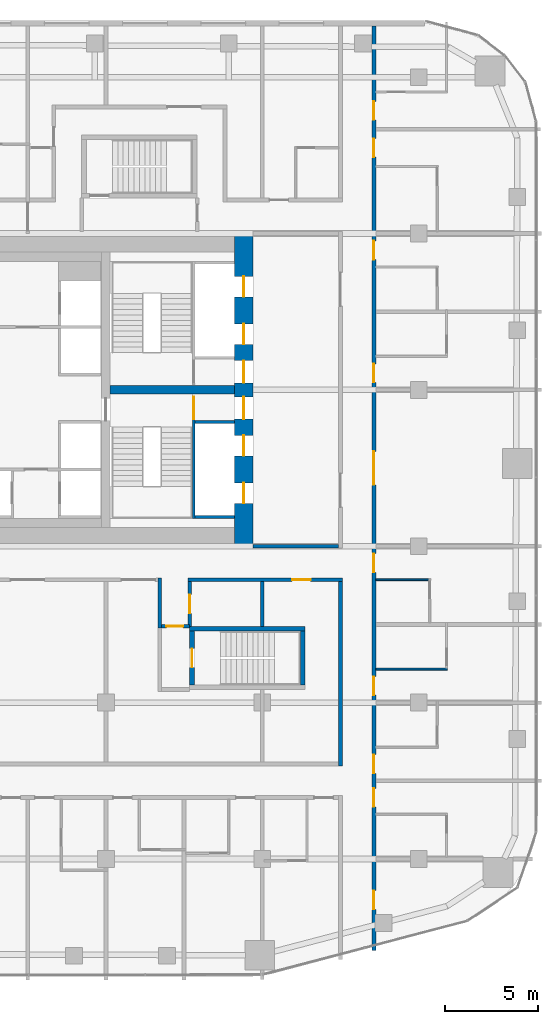
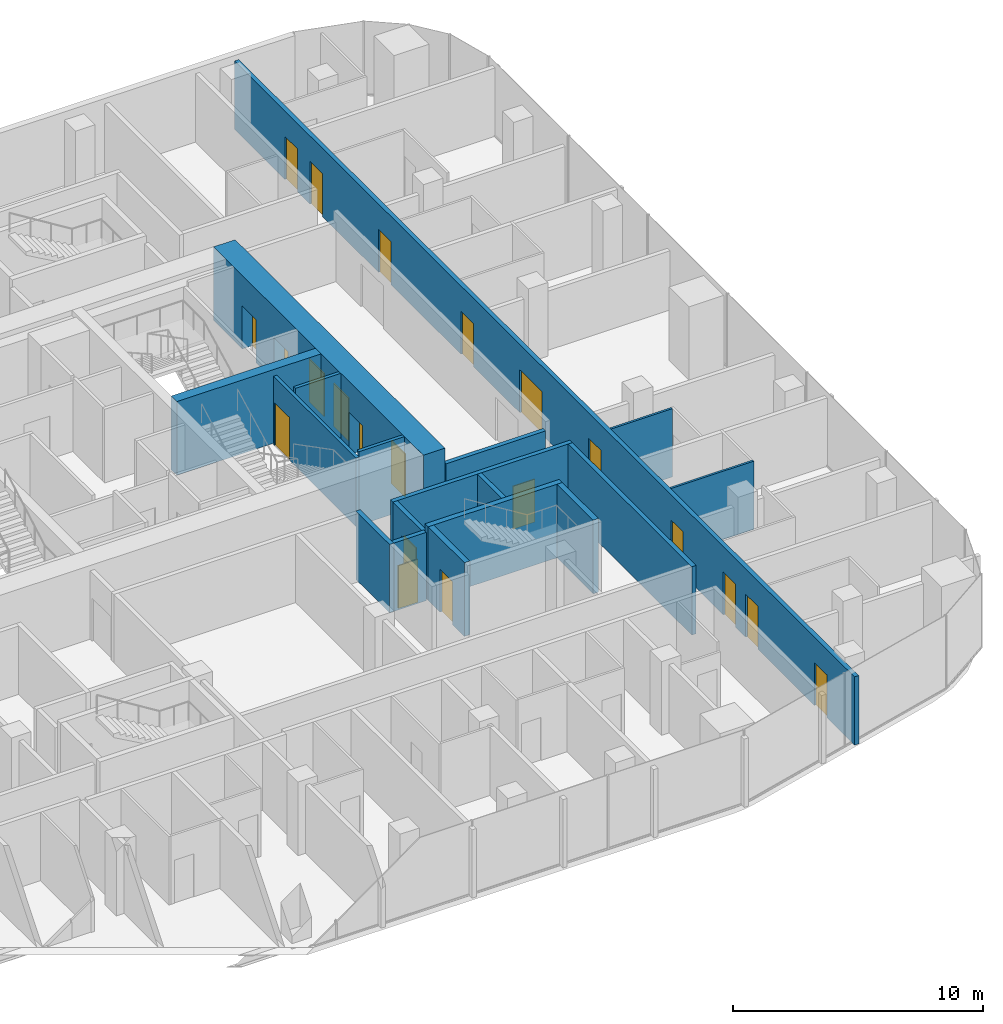
# One storey, part 17 of 23: 21 doors, 18 walls, 21 openings.
"""IFC4 building model written with IfcOpenShell, lengths in metres."""

from ifc_helpers import new_model, si_unit, direction, frame, frame_2d, origin, place, context, subcontext, project, spatial, rectangle, extrude, material, layer, layer_set, type_object, element, fill, save


model = new_model("IFC4")

# Units and contexts
model_context = context("Model", 3, precision=1e-05, world=origin(), true_north=direction((0.0, 1.0)))
body_context = subcontext(model_context, "Body", "Model", "MODEL_VIEW")
ifc_project = project(units=[si_unit("LENGTHUNIT", "METRE"), si_unit("AREAUNIT", "SQUARE_METRE"), si_unit("VOLUMEUNIT", "CUBIC_METRE"), si_unit("PLANEANGLEUNIT", "RADIAN"), si_unit("MASSUNIT", "GRAM", prefix="KILO")], contexts=[model_context])

# Site, building, storey
site_placement = place(None, origin())
site = spatial("IfcSite", under=ifc_project, at=site_placement, CompositionType="ELEMENT")
building_placement = place(site_placement, origin())
building = spatial("IfcBuilding", under=site, at=building_placement, Name="Marenta Gate Hotel Tower", CompositionType="ELEMENT")
storey_placement = place(building_placement, frame((0.0, 0.0, 104.89990234375)))
storey = spatial("IfcBuildingStorey", under=building, at=storey_placement, Name="L22", CompositionType="ELEMENT", Elevation=104.89990234375)

# Walls
ifc_material_1 = material(Name="Concrete blockwork", Category="masonry")
ifc_layer_1 = layer(ifc_material_1, 0.199951171875)
ifc_layer_set_1 = layer_set([ifc_layer_1], Name="Concrete blockwork")
wall_type_1 = type_object("IfcWallType", Name="Core boundary wall 200 REI 180", PredefinedType="PARTITIONING", material=ifc_layer_set_1)
wall_1_placement = place(storey_placement, frame((12.10009765625, 0.0, 0.0), z_axis=(0.0, 0.0, 1.0), x_axis=(1.0, 0.0, 0.0)))
element("IfcWall", 1, at=wall_1_placement, inside=storey, type_object=wall_type_1, Name="L22-CP-EW-ES", PredefinedType="PARTITIONING", context=body_context, shape_type="SweptSolid", body=[
    extrude(rectangle(XDim=4.599853515625, YDim=0.199951171875, at=frame_2d((2.2998046875, 0.0))), origin(), (0.0, 0.0, 1.0), 2.89013671875),
])
ifc_material_2 = material(Name="Concrete C40", Category="concrete")
ifc_layer_2 = layer(ifc_material_2, 0.14990234375)
ifc_layer_set_2 = layer_set([ifc_layer_2], Name="Concrete C40")
wall_type_2 = type_object("IfcWallType", Name="Core shaft wall 150 REI 180", PredefinedType="SHEAR", material=ifc_layer_set_2)
for number, where, z_axis, x_axis, name in (
    (2, (9.0, 6.675048828125, 0.0), (0.0, 0.0, 1.0), (1.0, 0.0, 0.0), "L22-SHF-SW-ES-2"),
    (3, (9.0, 1.574951171875, 0.0), (0.0, 0.0, 1.0), (1.0, 0.0, 0.0), "L22-SHF-SW-ES-5"),
):
    element("IfcWall", number, at=place(storey_placement, frame(where, z_axis=z_axis, x_axis=x_axis)), inside=storey, type_object=wall_type_2, Name=name, PredefinedType="SHEAR", context=body_context, shape_type="SweptSolid", body=[
        extrude(rectangle(XDim=2.10009765625, YDim=0.14990234375, at=frame_2d((1.050048828125, 0.0))), origin(), (0.0, 0.0, 1.0), 3.60009765625),
    ])

# Wall, opening, door
ifc_material_3 = material(Name="Concrete C40", Category="concrete")
ifc_layer_3 = layer(ifc_material_3, 0.14990234375)
ifc_layer_set_3 = layer_set([ifc_layer_3], Name="Concrete C40")
wall_type_3 = type_object("IfcWallType", Name="Core stair enclosure wall 150 REI 180", PredefinedType="SHEAR", material=ifc_layer_set_3)
wall_2_placement = place(storey_placement, frame((8.925048828125, 1.5, 0.0), z_axis=(0.0, 0.0, 1.0), x_axis=(0.0, 1.0, 0.0)))
wall_2 = element("IfcWall", 4, at=wall_2_placement, inside=storey, type_object=wall_type_3, Name="L22-SHF-SW-ES-3", PredefinedType="SHEAR", context=body_context, shape_type="SweptSolid", body=[
    extrude(rectangle(XDim=6.60009765625, YDim=0.14990234375, at=frame_2d((3.300048828125, 0.0))), origin(), (0.0, 0.0, 1.0), 3.340087890625),
])
opening_1_placement = place(wall_2_placement, frame((5.324951171875, 0.0, 0.0)))
opening_1 = element("IfcOpeningElement", 5, at=opening_1_placement, cuts=wall_2, Name="Opening SD-ES", PredefinedType="OPENING", context=body_context, shape_type="SweptSolid", body=[
    extrude(rectangle(XDim=1.199951171875, YDim=2.10009765625, at=frame_2d((0.60009765625, 1.050048828125))), frame((0.0, 0.074951171875, 0.0), z_axis=(0.0, -1.0, 0.0), x_axis=(1.0, 0.0, 0.0)), (0.0, 0.0, 1.0), 0.14990234375),
])
ifc_material_4 = material(Name="Steel", Category="steel")
door_type_1 = type_object("IfcDoorType", Name="Core stair door 1200x2100 FD60", OperationType="SINGLE_SWING_LEFT", PredefinedType="DOOR", material=ifc_material_4)
door_1_placement = place(opening_1_placement, origin())
door_1 = element("IfcDoor", 6, at=door_1_placement, inside=storey, type_object=door_type_1, Name="SD-ES", OperationType="SINGLE_SWING_LEFT", OverallHeight=2.10009765625, OverallWidth=1.199951171875, PredefinedType="DOOR", context=body_context, shape_type="SweptSolid", body=[
    extrude(rectangle(XDim=1.199951171875, YDim=2.10009765625, at=frame_2d((0.60009765625, 1.050048828125))), frame((0.0, 0.02490234375, 0.0), z_axis=(0.0, -1.0, 0.0), x_axis=(1.0, 0.0, 0.0)), (0.0, 0.0, 1.0), 0.050048828125),
])
fill(opening_1, door_1)

# Wall, openings, doors
ifc_material_5 = material(Name="Concrete C70", Category="concrete")
ifc_layer_4 = layer(ifc_material_5, 1.0)
ifc_layer_set_4 = layer_set([ifc_layer_4], Name="Concrete C70")
wall_type_4 = type_object("IfcWallType", Name="Core wall 1000 C70", PredefinedType="SHEAR", material=ifc_layer_set_4)
wall_3_placement = place(storey_placement, frame((11.60009765625, 0.0, 0.0), z_axis=(0.0, 0.0, 1.0), x_axis=(0.0, 1.0, 0.0)))
wall_3 = element("IfcWall", 7, at=wall_3_placement, inside=storey, type_object=wall_type_4, Name="L22-CORE-E", PredefinedType="SHEAR", context=body_context, shape_type="SweptSolid", body=[
    extrude(rectangle(XDim=16.800048828125, YDim=1.0, at=frame_2d((8.39990234375, 0.0))), origin(), (0.0, 0.0, 1.0), 3.60009765625),
])
opening_2_placement = place(wall_3_placement, frame((2.300048828125, 0.0, 0.0)))
opening_2 = element("IfcOpeningElement", 8, at=opening_2_placement, cuts=wall_3, Name="Opening LD-HR1", PredefinedType="OPENING", context=body_context, shape_type="SweptSolid", body=[
    extrude(rectangle(XDim=1.10009765625, YDim=2.10009765625, at=frame_2d((0.550048828125, 1.050048828125))), frame((0.0, 0.5, 0.0), z_axis=(0.0, -1.0, 0.0), x_axis=(1.0, 0.0, 0.0)), (0.0, 0.0, 1.0), 1.0),
])
opening_3_placement = place(wall_3_placement, frame((4.85009765625, 0.0, 0.0)))
opening_3 = element("IfcOpeningElement", 9, at=opening_3_placement, cuts=wall_3, Name="Opening LD-HR2", PredefinedType="OPENING", context=body_context, shape_type="SweptSolid", body=[
    extrude(rectangle(XDim=1.10009765625, YDim=2.10009765625, at=frame_2d((0.550048828125, 1.050048828125))), frame((0.0, 0.5, 0.0), z_axis=(0.0, -1.0, 0.0), x_axis=(1.0, 0.0, 0.0)), (0.0, 0.0, 1.0), 1.0),
])
opening_4_placement = place(wall_3_placement, frame((6.824951171875, 0.0, 0.0)))
opening_4 = element("IfcOpeningElement", 10, at=opening_4_placement, cuts=wall_3, Name="Opening PD-ES", PredefinedType="OPENING", context=body_context, shape_type="SweptSolid", body=[
    extrude(rectangle(XDim=1.199951171875, YDim=2.10009765625, at=frame_2d((0.60009765625, 1.050048828125))), frame((0.0, 0.5, 0.0), z_axis=(0.0, -1.0, 0.0), x_axis=(1.0, 0.0, 0.0)), (0.0, 0.0, 1.0), 1.0),
])
opening_5_placement = place(wall_3_placement, frame((13.39990234375, 0.0, 0.0)))
opening_5 = element("IfcOpeningElement", 11, at=opening_5_placement, cuts=wall_3, Name="Opening LD-HR4", PredefinedType="OPENING", context=body_context, shape_type="SweptSolid", body=[
    extrude(rectangle(XDim=1.10009765625, YDim=2.10009765625, at=frame_2d((0.550048828125, 1.050048828125))), frame((0.0, 0.5, 0.0), z_axis=(0.0, -1.0, 0.0), x_axis=(1.0, 0.0, 0.0)), (0.0, 0.0, 1.0), 1.0),
])
opening_6_placement = place(wall_3_placement, frame((10.85009765625, 0.0, 0.0)))
opening_6 = element("IfcOpeningElement", 12, at=opening_6_placement, cuts=wall_3, Name="Opening LD-HR3", PredefinedType="OPENING", context=body_context, shape_type="SweptSolid", body=[
    extrude(rectangle(XDim=1.10009765625, YDim=2.10009765625, at=frame_2d((0.550048828125, 1.050048828125))), frame((0.0, 0.5, 0.0), z_axis=(0.0, -1.0, 0.0), x_axis=(1.0, 0.0, 0.0)), (0.0, 0.0, 1.0), 1.0),
])
opening_7_placement = place(wall_3_placement, frame((8.77490234375, 0.0, 0.0)))
opening_7 = element("IfcOpeningElement", 13, at=opening_7_placement, cuts=wall_3, Name="Opening PD-EN", PredefinedType="OPENING", context=body_context, shape_type="SweptSolid", body=[
    extrude(rectangle(XDim=1.199951171875, YDim=2.10009765625, at=frame_2d((0.60009765625, 1.050048828125))), frame((0.0, 0.5, 0.0), z_axis=(0.0, -1.0, 0.0), x_axis=(1.0, 0.0, 0.0)), (0.0, 0.0, 1.0), 1.0),
])
ifc_material_6 = material(Name="Steel", Category="steel")
door_type_2 = type_object("IfcDoorType", Name="Core lift landing door 1100x2100 E 60", OperationType="SLIDING_TO_LEFT", PredefinedType="DOOR", material=ifc_material_6)
door_2_placement = place(opening_2_placement, origin())
door_2 = element("IfcDoor", 14, at=door_2_placement, inside=storey, type_object=door_type_2, Name="LD-HR1", OperationType="SLIDING_TO_LEFT", OverallHeight=2.10009765625, OverallWidth=1.10009765625, PredefinedType="DOOR", context=body_context, shape_type="SweptSolid", body=[
    extrude(rectangle(XDim=1.10009765625, YDim=2.10009765625, at=frame_2d((0.550048828125, 1.050048828125))), frame((0.0, 0.02490234375, 0.0), z_axis=(0.0, -1.0, 0.0), x_axis=(1.0, 0.0, 0.0)), (0.0, 0.0, 1.0), 0.050048828125),
])
fill(opening_2, door_2)
door_3_placement = place(opening_3_placement, origin())
door_3 = element("IfcDoor", 15, at=door_3_placement, inside=storey, type_object=door_type_2, Name="LD-HR2", OperationType="SLIDING_TO_LEFT", OverallHeight=2.10009765625, OverallWidth=1.10009765625, PredefinedType="DOOR", context=body_context, shape_type="SweptSolid", body=[
    extrude(rectangle(XDim=1.10009765625, YDim=2.10009765625, at=frame_2d((0.550048828125, 1.050048828125))), frame((0.0, 0.02490234375, 0.0), z_axis=(0.0, -1.0, 0.0), x_axis=(1.0, 0.0, 0.0)), (0.0, 0.0, 1.0), 0.050048828125),
])
fill(opening_3, door_3)
door_4_placement = place(opening_5_placement, origin())
door_4 = element("IfcDoor", 16, at=door_4_placement, inside=storey, type_object=door_type_2, Name="LD-HR4", OperationType="SLIDING_TO_LEFT", OverallHeight=2.10009765625, OverallWidth=1.10009765625, PredefinedType="DOOR", context=body_context, shape_type="SweptSolid", body=[
    extrude(rectangle(XDim=1.10009765625, YDim=2.10009765625, at=frame_2d((0.550048828125, 1.050048828125))), frame((0.0, 0.02490234375, 0.0), z_axis=(0.0, -1.0, 0.0), x_axis=(1.0, 0.0, 0.0)), (0.0, 0.0, 1.0), 0.050048828125),
])
fill(opening_5, door_4)
door_5_placement = place(opening_6_placement, origin())
door_5 = element("IfcDoor", 17, at=door_5_placement, inside=storey, type_object=door_type_2, Name="LD-HR3", OperationType="SLIDING_TO_LEFT", OverallHeight=2.10009765625, OverallWidth=1.10009765625, PredefinedType="DOOR", context=body_context, shape_type="SweptSolid", body=[
    extrude(rectangle(XDim=1.10009765625, YDim=2.10009765625, at=frame_2d((0.550048828125, 1.050048828125))), frame((0.0, 0.02490234375, 0.0), z_axis=(0.0, -1.0, 0.0), x_axis=(1.0, 0.0, 0.0)), (0.0, 0.0, 1.0), 0.050048828125),
])
fill(opening_6, door_5)
ifc_material_7 = material(Name="Steel", Category="steel")
door_type_3 = type_object("IfcDoorType", Name="Core lobby door 1200x2100 FD60", OperationType="SINGLE_SWING_LEFT", PredefinedType="DOOR", material=ifc_material_7)
door_6_placement = place(opening_4_placement, origin())
door_6 = element("IfcDoor", 18, at=door_6_placement, inside=storey, type_object=door_type_3, Name="PD-ES", OperationType="SINGLE_SWING_LEFT", OverallHeight=2.10009765625, OverallWidth=1.199951171875, PredefinedType="DOOR", context=body_context, shape_type="SweptSolid", body=[
    extrude(rectangle(XDim=1.199951171875, YDim=2.10009765625, at=frame_2d((0.60009765625, 1.050048828125))), frame((0.0, 0.02490234375, 0.0), z_axis=(0.0, -1.0, 0.0), x_axis=(1.0, 0.0, 0.0)), (0.0, 0.0, 1.0), 0.050048828125),
])
fill(opening_4, door_6)
door_7_placement = place(opening_7_placement, origin())
door_7 = element("IfcDoor", 19, at=door_7_placement, inside=storey, type_object=door_type_3, Name="PD-EN", OperationType="SINGLE_SWING_LEFT", OverallHeight=2.10009765625, OverallWidth=1.199951171875, PredefinedType="DOOR", context=body_context, shape_type="SweptSolid", body=[
    extrude(rectangle(XDim=1.199951171875, YDim=2.10009765625, at=frame_2d((0.60009765625, 1.050048828125))), frame((0.0, 0.02490234375, 0.0), z_axis=(0.0, -1.0, 0.0), x_axis=(1.0, 0.0, 0.0)), (0.0, 0.0, 1.0), 0.050048828125),
])
fill(opening_7, door_7)

# Walls
ifc_material_8 = material(Name="Concrete C70", Category="concrete")
ifc_layer_5 = layer(ifc_material_8, 0.449951171875)
ifc_layer_set_5 = layer_set([ifc_layer_5], Name="Concrete C70")
wall_type_5 = type_object("IfcWallType", Name="Core web 450 C70", PredefinedType="SHEAR", material=ifc_layer_set_5)
wall_4_placement = place(storey_placement, frame((4.425048828125, 8.39990234375, 0.0), z_axis=(0.0, 0.0, 1.0), x_axis=(1.0, 0.0, 0.0)))
element("IfcWall", 20, at=wall_4_placement, inside=storey, type_object=wall_type_5, Name="L22-CORE-W4", PredefinedType="SHEAR", context=body_context, shape_type="SweptSolid", body=[
    extrude(rectangle(XDim=6.675048828125, YDim=0.449951171875, at=frame_2d((3.33740234375, 0.0))), origin(), (0.0, 0.0, 1.0), 3.60009765625),
])
ifc_material_9 = material(Name="Concrete C40", Category="concrete")
ifc_layer_6 = layer(ifc_material_9, 0.25)
ifc_layer_set_6 = layer_set([ifc_layer_6], Name="Concrete C40")
wall_type_6 = type_object("IfcWallType", Name="Remote stair enclosure wall 250 REI 180", PredefinedType="SHEAR", material=ifc_layer_set_6)
wall_5_placement = place(storey_placement, frame((8.699951171875, -4.425048828125, 0.10009765625), z_axis=(0.0, 0.0, 1.0), x_axis=(1.0, 0.0, 0.0)))
element("IfcWall", 21, at=wall_5_placement, inside=storey, type_object=wall_type_6, Name="L22-RS-Z2-2-W2", PredefinedType="SHEAR", context=body_context, shape_type="SweptSolid", body=[
    extrude(rectangle(XDim=6.199951171875, YDim=0.25, at=frame_2d((3.10009765625, 0.0))), origin(), (0.0, 0.0, 1.0), 3.60009765625),
])

# Wall, opening, door
wall_6_placement = place(storey_placement, frame((8.824951171875, -7.449951171875, 0.10009765625), z_axis=(0.0, 0.0, 1.0), x_axis=(0.0, 1.0, 0.0)))
wall_6 = element("IfcWall", 22, at=wall_6_placement, inside=storey, type_object=wall_type_6, Name="L22-RS-Z2-2-W3", PredefinedType="SHEAR", context=body_context, shape_type="SweptSolid", body=[
    extrude(rectangle(XDim=2.89990234375, YDim=0.25, at=frame_2d((1.449951171875, 0.0))), origin(), (0.0, 0.0, 1.0), 3.60009765625),
])
opening_8_placement = place(wall_6_placement, frame((0.949951171875, 0.0, 0.0)))
opening_8 = element("IfcOpeningElement", 23, at=opening_8_placement, cuts=wall_6, Name="Opening VD", PredefinedType="OPENING", context=body_context, shape_type="SweptSolid", body=[
    extrude(rectangle(XDim=1.0, YDim=2.10009765625, at=frame_2d((0.5, 1.050048828125))), frame((0.0, 0.125, 0.0), z_axis=(0.0, -1.0, 0.0), x_axis=(1.0, 0.0, 0.0)), (0.0, 0.0, 1.0), 0.25),
])
ifc_material_10 = material(Name="Steel", Category="steel")
door_type_4 = type_object("IfcDoorType", Name="Stair vestibule door 1000x2100 FD60", OperationType="SINGLE_SWING_LEFT", PredefinedType="DOOR", material=ifc_material_10)
door_8_placement = place(opening_8_placement, origin())
door_8 = element("IfcDoor", 24, at=door_8_placement, inside=storey, type_object=door_type_4, Name="VD", OperationType="SINGLE_SWING_LEFT", OverallHeight=2.10009765625, OverallWidth=1.0, PredefinedType="DOOR", context=body_context, shape_type="SweptSolid", body=[
    extrude(rectangle(XDim=1.0, YDim=2.10009765625, at=frame_2d((0.5, 1.050048828125))), frame((0.0, 0.02490234375, 0.0), z_axis=(0.0, -1.0, 0.0), x_axis=(1.0, 0.0, 0.0)), (0.0, 0.0, 1.0), 0.050048828125),
])
fill(opening_8, door_8)

# Wall
wall_7_placement = place(storey_placement, frame((14.77490234375, -7.449951171875, 0.10009765625), z_axis=(0.0, 0.0, 1.0), x_axis=(0.0, 1.0, 0.0)))
element("IfcWall", 25, at=wall_7_placement, inside=storey, type_object=wall_type_6, Name="L22-RS-Z2-2-W4", PredefinedType="SHEAR", context=body_context, shape_type="SweptSolid", body=[
    extrude(rectangle(XDim=2.89990234375, YDim=0.25, at=frame_2d((1.449951171875, 0.0))), origin(), (0.0, 0.0, 1.0), 3.60009765625),
])

# Wall, openings, doors
ifc_material_11 = material(Name="Gypsum board on steel stud", Category="steel")
ifc_layer_7 = layer(ifc_material_11, 0.199951171875)
ifc_layer_set_7 = layer_set([ifc_layer_7], Name="Gypsum board on steel stud")
wall_type_7 = type_object("IfcWallType", Name="Room corridor wall 200 EI 60", PredefinedType="PARTITIONING", material=ifc_layer_set_7)
wall_8_placement = place(storey_placement, frame((18.60009765625, -21.7080078125, 0.0), z_axis=(0.0, 0.0, 1.0), x_axis=(0.0, 1.0, 0.0)))
wall_8 = element("IfcWall", 26, at=wall_8_placement, inside=storey, type_object=wall_type_7, Name="L22-PTN-W010", PredefinedType="PARTITIONING", context=body_context, shape_type="SweptSolid", body=[
    extrude(rectangle(XDim=49.64794921875, YDim=0.199951171875, at=frame_2d((24.823974609375, 0.0))), origin(), (0.0, 0.0, 1.0), 3.340087890625),
])
opening_9_placement = place(wall_8_placement, frame((2.2041015625, 0.0, 0.0)))
opening_9 = element("IfcOpeningElement", 27, at=opening_9_placement, cuts=wall_8, Name="Opening G08-07", PredefinedType="OPENING", context=body_context, shape_type="SweptSolid", body=[
    extrude(rectangle(XDim=1.0, YDim=2.10009765625, at=frame_2d((0.5, 1.050048828125))), frame((0.0, 0.10009765625, 0.0), z_axis=(0.0, -1.0, 0.0), x_axis=(1.0, 0.0, 0.0)), (0.0, 0.0, 1.0), 0.199951171875),
])
opening_10_placement = place(wall_8_placement, frame((7.7080078125, 0.0, 0.0)))
opening_10 = element("IfcOpeningElement", 28, at=opening_10_placement, cuts=wall_8, Name="Opening G08-08", PredefinedType="OPENING", context=body_context, shape_type="SweptSolid", body=[
    extrude(rectangle(XDim=1.0, YDim=2.10009765625, at=frame_2d((0.5, 1.050048828125))), frame((0.0, 0.10009765625, 0.0), z_axis=(0.0, -1.0, 0.0), x_axis=(1.0, 0.0, 0.0)), (0.0, 0.0, 1.0), 0.199951171875),
])
opening_11_placement = place(wall_8_placement, frame((9.508056640625, 0.0, 0.0)))
opening_11 = element("IfcOpeningElement", 29, at=opening_11_placement, cuts=wall_8, Name="Opening G08-10", PredefinedType="OPENING", context=body_context, shape_type="SweptSolid", body=[
    extrude(rectangle(XDim=1.0, YDim=2.10009765625, at=frame_2d((0.5, 1.050048828125))), frame((0.0, 0.10009765625, 0.0), z_axis=(0.0, -1.0, 0.0), x_axis=(1.0, 0.0, 0.0)), (0.0, 0.0, 1.0), 0.199951171875),
])
opening_12_placement = place(wall_8_placement, frame((13.7080078125, 0.0, 0.0)))
opening_12 = element("IfcOpeningElement", 30, at=opening_12_placement, cuts=wall_8, Name="Opening G08-12", PredefinedType="OPENING", context=body_context, shape_type="SweptSolid", body=[
    extrude(rectangle(XDim=1.0, YDim=2.10009765625, at=frame_2d((0.5, 1.050048828125))), frame((0.0, 0.10009765625, 0.0), z_axis=(0.0, -1.0, 0.0), x_axis=(1.0, 0.0, 0.0)), (0.0, 0.0, 1.0), 0.199951171875),
])
opening_13_placement = place(wall_8_placement, frame((20.30810546875, 0.0, 0.0)))
opening_13 = element("IfcOpeningElement", 31, at=opening_13_placement, cuts=wall_8, Name="Opening G08-14", PredefinedType="OPENING", context=body_context, shape_type="SweptSolid", body=[
    extrude(rectangle(XDim=1.0, YDim=2.10009765625, at=frame_2d((0.5, 1.050048828125))), frame((0.0, 0.10009765625, 0.0), z_axis=(0.0, -1.0, 0.0), x_axis=(1.0, 0.0, 0.0)), (0.0, 0.0, 1.0), 0.199951171875),
])
opening_14_placement = place(wall_8_placement, frame((25.008056640625, 0.0, 0.0)))
opening_14 = element("IfcOpeningElement", 32, at=opening_14_placement, cuts=wall_8, Name="Opening G08-16", PredefinedType="OPENING", context=body_context, shape_type="SweptSolid", body=[
    extrude(rectangle(XDim=1.800048828125, YDim=2.10009765625, at=frame_2d((0.89990234375, 1.050048828125))), frame((0.0, 0.10009765625, 0.0), z_axis=(0.0, -1.0, 0.0), x_axis=(1.0, 0.0, 0.0)), (0.0, 0.0, 1.0), 0.199951171875),
])
opening_15_placement = place(wall_8_placement, frame((30.508056640625, 0.0, 0.0)))
opening_15 = element("IfcOpeningElement", 33, at=opening_15_placement, cuts=wall_8, Name="Opening G08-17", PredefinedType="OPENING", context=body_context, shape_type="SweptSolid", body=[
    extrude(rectangle(XDim=1.0, YDim=2.10009765625, at=frame_2d((0.5, 1.050048828125))), frame((0.0, 0.10009765625, 0.0), z_axis=(0.0, -1.0, 0.0), x_axis=(1.0, 0.0, 0.0)), (0.0, 0.0, 1.0), 0.199951171875),
])
opening_16_placement = place(wall_8_placement, frame((37.10791015625, 0.0, 0.0)))
opening_16 = element("IfcOpeningElement", 34, at=opening_16_placement, cuts=wall_8, Name="Opening G08-19", PredefinedType="OPENING", context=body_context, shape_type="SweptSolid", body=[
    extrude(rectangle(XDim=1.0, YDim=2.10009765625, at=frame_2d((0.5, 1.050048828125))), frame((0.0, 0.10009765625, 0.0), z_axis=(0.0, -1.0, 0.0), x_axis=(1.0, 0.0, 0.0)), (0.0, 0.0, 1.0), 0.199951171875),
])
opening_17_placement = place(wall_8_placement, frame((42.60791015625, 0.0, 0.0)))
opening_17 = element("IfcOpeningElement", 35, at=opening_17_placement, cuts=wall_8, Name="Opening G08-21", PredefinedType="OPENING", context=body_context, shape_type="SweptSolid", body=[
    extrude(rectangle(XDim=1.0, YDim=2.10009765625, at=frame_2d((0.5, 1.050048828125))), frame((0.0, 0.10009765625, 0.0), z_axis=(0.0, -1.0, 0.0), x_axis=(1.0, 0.0, 0.0)), (0.0, 0.0, 1.0), 0.199951171875),
])
opening_18_placement = place(wall_8_placement, frame((44.60791015625, 0.0, 0.0)))
opening_18 = element("IfcOpeningElement", 36, at=opening_18_placement, cuts=wall_8, Name="Opening G08-23", PredefinedType="OPENING", context=body_context, shape_type="SweptSolid", body=[
    extrude(rectangle(XDim=1.0, YDim=2.10009765625, at=frame_2d((0.5, 1.050048828125))), frame((0.0, 0.10009765625, 0.0), z_axis=(0.0, -1.0, 0.0), x_axis=(1.0, 0.0, 0.0)), (0.0, 0.0, 1.0), 0.199951171875),
])
ifc_material_12 = material(Name="Timber door leaf", Category="wood")
door_type_5 = type_object("IfcDoorType", Name="Guest room door 1000x2100 EI 30", OperationType="NOTDEFINED", PredefinedType="DOOR", material=ifc_material_12)
door_9_placement = place(opening_10_placement, origin())
door_9 = element("IfcDoor", 37, at=door_9_placement, inside=storey, type_object=door_type_5, Name="L22-PD-D008", OperationType="SINGLE_SWING_RIGHT", OverallHeight=2.10009765625, OverallWidth=1.0, PredefinedType="DOOR", context=body_context, shape_type="SweptSolid", body=[
    extrude(rectangle(XDim=1.0, YDim=2.10009765625, at=frame_2d((0.5, 1.050048828125))), frame((0.0, 0.02490234375, 0.0), z_axis=(0.0, -1.0, 0.0), x_axis=(1.0, 0.0, 0.0)), (0.0, 0.0, 1.0), 0.050048828125),
])
fill(opening_10, door_9)
door_10_placement = place(opening_11_placement, origin())
door_10 = element("IfcDoor", 38, at=door_10_placement, inside=storey, type_object=door_type_5, Name="L22-PD-D010", OperationType="SINGLE_SWING_RIGHT", OverallHeight=2.10009765625, OverallWidth=1.0, PredefinedType="DOOR", context=body_context, shape_type="SweptSolid", body=[
    extrude(rectangle(XDim=1.0, YDim=2.10009765625, at=frame_2d((0.5, 1.050048828125))), frame((0.0, 0.02490234375, 0.0), z_axis=(0.0, -1.0, 0.0), x_axis=(1.0, 0.0, 0.0)), (0.0, 0.0, 1.0), 0.050048828125),
])
fill(opening_11, door_10)
door_11_placement = place(opening_12_placement, origin())
door_11 = element("IfcDoor", 39, at=door_11_placement, inside=storey, type_object=door_type_5, Name="L22-PD-D012", OperationType="SINGLE_SWING_RIGHT", OverallHeight=2.10009765625, OverallWidth=1.0, PredefinedType="DOOR", context=body_context, shape_type="SweptSolid", body=[
    extrude(rectangle(XDim=1.0, YDim=2.10009765625, at=frame_2d((0.5, 1.050048828125))), frame((0.0, 0.02490234375, 0.0), z_axis=(0.0, -1.0, 0.0), x_axis=(1.0, 0.0, 0.0)), (0.0, 0.0, 1.0), 0.050048828125),
])
fill(opening_12, door_11)
door_12_placement = place(opening_13_placement, origin())
door_12 = element("IfcDoor", 40, at=door_12_placement, inside=storey, type_object=door_type_5, Name="L22-PD-D014", OperationType="SINGLE_SWING_RIGHT", OverallHeight=2.10009765625, OverallWidth=1.0, PredefinedType="DOOR", context=body_context, shape_type="SweptSolid", body=[
    extrude(rectangle(XDim=1.0, YDim=2.10009765625, at=frame_2d((0.5, 1.050048828125))), frame((0.0, 0.02490234375, 0.0), z_axis=(0.0, -1.0, 0.0), x_axis=(1.0, 0.0, 0.0)), (0.0, 0.0, 1.0), 0.050048828125),
])
fill(opening_13, door_12)
door_13_placement = place(opening_15_placement, origin())
door_13 = element("IfcDoor", 41, at=door_13_placement, inside=storey, type_object=door_type_5, Name="L22-PD-D017", OperationType="SINGLE_SWING_LEFT", OverallHeight=2.10009765625, OverallWidth=1.0, PredefinedType="DOOR", context=body_context, shape_type="SweptSolid", body=[
    extrude(rectangle(XDim=1.0, YDim=2.10009765625, at=frame_2d((0.5, 1.050048828125))), frame((0.0, 0.02490234375, 0.0), z_axis=(0.0, -1.0, 0.0), x_axis=(1.0, 0.0, 0.0)), (0.0, 0.0, 1.0), 0.050048828125),
])
fill(opening_15, door_13)
door_14_placement = place(opening_16_placement, origin())
door_14 = element("IfcDoor", 42, at=door_14_placement, inside=storey, type_object=door_type_5, Name="L22-PD-D019", OperationType="SINGLE_SWING_LEFT", OverallHeight=2.10009765625, OverallWidth=1.0, PredefinedType="DOOR", context=body_context, shape_type="SweptSolid", body=[
    extrude(rectangle(XDim=1.0, YDim=2.10009765625, at=frame_2d((0.5, 1.050048828125))), frame((0.0, 0.02490234375, 0.0), z_axis=(0.0, -1.0, 0.0), x_axis=(1.0, 0.0, 0.0)), (0.0, 0.0, 1.0), 0.050048828125),
])
fill(opening_16, door_14)
door_15_placement = place(opening_17_placement, origin())
door_15 = element("IfcDoor", 43, at=door_15_placement, inside=storey, type_object=door_type_5, Name="L22-PD-D021", OperationType="SINGLE_SWING_LEFT", OverallHeight=2.10009765625, OverallWidth=1.0, PredefinedType="DOOR", context=body_context, shape_type="SweptSolid", body=[
    extrude(rectangle(XDim=1.0, YDim=2.10009765625, at=frame_2d((0.5, 1.050048828125))), frame((0.0, 0.02490234375, 0.0), z_axis=(0.0, -1.0, 0.0), x_axis=(1.0, 0.0, 0.0)), (0.0, 0.0, 1.0), 0.050048828125),
])
fill(opening_17, door_15)
door_16_placement = place(opening_18_placement, origin())
door_16 = element("IfcDoor", 44, at=door_16_placement, inside=storey, type_object=door_type_5, Name="L22-PD-D023", OperationType="SINGLE_SWING_LEFT", OverallHeight=2.10009765625, OverallWidth=1.0, PredefinedType="DOOR", context=body_context, shape_type="SweptSolid", body=[
    extrude(rectangle(XDim=1.0, YDim=2.10009765625, at=frame_2d((0.5, 1.050048828125))), frame((0.0, 0.02490234375, 0.0), z_axis=(0.0, -1.0, 0.0), x_axis=(1.0, 0.0, 0.0)), (0.0, 0.0, 1.0), 0.050048828125),
])
fill(opening_18, door_16)
ifc_material_13 = material(Name="Timber door leaf", Category="wood")
door_type_6 = type_object("IfcDoorType", Name="Room amenity door 1000x2100 EI 30", OperationType="NOTDEFINED", PredefinedType="DOOR", material=ifc_material_13)
door_17_placement = place(opening_9_placement, origin())
door_17 = element("IfcDoor", 45, at=door_17_placement, inside=storey, type_object=door_type_6, Name="L22-PD-D007", OperationType="SINGLE_SWING_LEFT", OverallHeight=2.10009765625, OverallWidth=1.0, PredefinedType="DOOR", context=body_context, shape_type="SweptSolid", body=[
    extrude(rectangle(XDim=1.0, YDim=2.10009765625, at=frame_2d((0.5, 1.050048828125))), frame((0.0, 0.02490234375, 0.0), z_axis=(0.0, -1.0, 0.0), x_axis=(1.0, 0.0, 0.0)), (0.0, 0.0, 1.0), 0.050048828125),
])
fill(opening_9, door_17)
ifc_material_14 = material(Name="Timber door leaf", Category="wood")
door_type_7 = type_object("IfcDoorType", Name="Room amenity door 1800x2100 EI 30", OperationType="DOUBLE_DOOR_SINGLE_SWING", PredefinedType="DOOR", material=ifc_material_14)
door_18_placement = place(opening_14_placement, origin())
door_18 = element("IfcDoor", 46, at=door_18_placement, inside=storey, type_object=door_type_7, Name="L22-PD-D016", OperationType="DOUBLE_DOOR_SINGLE_SWING", OverallHeight=2.10009765625, OverallWidth=1.800048828125, PredefinedType="DOOR", context=body_context, shape_type="SweptSolid", body=[
    extrude(rectangle(XDim=1.800048828125, YDim=2.10009765625, at=frame_2d((0.89990234375, 1.050048828125))), frame((0.0, 0.02490234375, 0.0), z_axis=(0.0, -1.0, 0.0), x_axis=(1.0, 0.0, 0.0)), (0.0, 0.0, 1.0), 0.050048828125),
])
fill(opening_14, door_18)

# Wall
wall_9_placement = place(storey_placement, frame((16.800048828125, -11.800048828125, 0.0), z_axis=(0.0, 0.0, 1.0), x_axis=(0.0, 1.0, 0.0)))
element("IfcWall", 47, at=wall_9_placement, inside=storey, type_object=wall_type_7, Name="L22-PTN-W017", PredefinedType="PARTITIONING", context=body_context, shape_type="SweptSolid", body=[
    extrude(rectangle(XDim=9.900146484375, YDim=0.199951171875, at=frame_2d((4.9501953125, 0.0))), origin(), (0.0, 0.0, 1.0), 3.340087890625),
])

# Wall, opening, door
wall_10_placement = place(storey_placement, frame((8.699951171875, -4.300048828125, 0.0), z_axis=(0.0, 0.0, 1.0), x_axis=(0.0, 1.0, 0.0)))
wall_10 = element("IfcWall", 48, at=wall_10_placement, inside=storey, type_object=wall_type_7, Name="L22-PTN-W044", PredefinedType="PARTITIONING", context=body_context, shape_type="SweptSolid", body=[
    extrude(rectangle(XDim=2.400146484375, YDim=0.199951171875, at=frame_2d((1.2001953125, 0.0))), origin(), (0.0, 0.0, 1.0), 3.340087890625),
])
opening_19_placement = place(wall_10_placement, frame((0.699951171875, 0.0, 0.0)))
opening_19 = element("IfcOpeningElement", 49, at=opening_19_placement, cuts=wall_10, Name="Opening G08-72", PredefinedType="OPENING", context=body_context, shape_type="SweptSolid", body=[
    extrude(rectangle(XDim=1.0, YDim=2.10009765625, at=frame_2d((0.5, 1.050048828125))), frame((0.0, 0.10009765625, 0.0), z_axis=(0.0, -1.0, 0.0), x_axis=(1.0, 0.0, 0.0)), (0.0, 0.0, 1.0), 0.199951171875),
])
door_19_placement = place(opening_19_placement, origin())
door_19 = element("IfcDoor", 50, at=door_19_placement, inside=storey, type_object=door_type_6, Name="L22-PD-D072", OperationType="SINGLE_SWING_LEFT", OverallHeight=2.10009765625, OverallWidth=1.0, PredefinedType="DOOR", context=body_context, shape_type="SweptSolid", body=[
    extrude(rectangle(XDim=1.0, YDim=2.10009765625, at=frame_2d((0.5, 1.050048828125))), frame((0.0, 0.02490234375, 0.0), z_axis=(0.0, -1.0, 0.0), x_axis=(1.0, 0.0, 0.0)), (0.0, 0.0, 1.0), 0.050048828125),
])
fill(opening_19, door_19)

# Wall
wall_11_placement = place(storey_placement, frame((7.10009765625, -4.39990234375, 0.0), z_axis=(0.0, 0.0, 1.0), x_axis=(0.0, 1.0, 0.0)))
element("IfcWall", 51, at=wall_11_placement, inside=storey, type_object=wall_type_7, Name="L22-PTN-W052", PredefinedType="PARTITIONING", context=body_context, shape_type="SweptSolid", body=[
    extrude(rectangle(XDim=2.699951171875, YDim=0.199951171875, at=frame_2d((1.35009765625, 0.0))), origin(), (0.0, 0.0, 1.0), 3.340087890625),
])

# Wall, opening, door
wall_12_placement = place(storey_placement, frame((8.60009765625, -1.800048828125, 0.0), z_axis=(0.0, 0.0, 1.0), x_axis=(1.0, 0.0, 0.0)))
wall_12 = element("IfcWall", 52, at=wall_12_placement, inside=storey, type_object=wall_type_7, Name="L22-PTN-W069", PredefinedType="PARTITIONING", context=body_context, shape_type="SweptSolid", body=[
    extrude(rectangle(XDim=8.2998046875, YDim=0.199951171875, at=frame_2d((4.14990234375, 0.0))), origin(), (0.0, 0.0, 1.0), 3.340087890625),
])
opening_20_placement = place(wall_12_placement, frame((5.60009765625, 0.0, 0.0)))
opening_20 = element("IfcOpeningElement", 53, at=opening_20_placement, cuts=wall_12, Name="Opening G08-06", PredefinedType="OPENING", context=body_context, shape_type="SweptSolid", body=[
    extrude(rectangle(XDim=1.0, YDim=2.10009765625, at=frame_2d((0.5, 1.050048828125))), frame((0.0, 0.10009765625, 0.0), z_axis=(0.0, -1.0, 0.0), x_axis=(1.0, 0.0, 0.0)), (0.0, 0.0, 1.0), 0.199951171875),
])
door_20_placement = place(opening_20_placement, origin())
door_20 = element("IfcDoor", 54, at=door_20_placement, inside=storey, type_object=door_type_6, Name="L22-PD-D006", OperationType="SINGLE_SWING_RIGHT", OverallHeight=2.10009765625, OverallWidth=1.0, PredefinedType="DOOR", context=body_context, shape_type="SweptSolid", body=[
    extrude(rectangle(XDim=1.0, YDim=2.10009765625, at=frame_2d((0.5, 1.050048828125))), frame((0.0, 0.02490234375, 0.0), z_axis=(0.0, -1.0, 0.0), x_axis=(1.0, 0.0, 0.0)), (0.0, 0.0, 1.0), 0.050048828125),
])
fill(opening_20, door_20)

ifc_material_15 = material(Name="Concrete blockwork", Category="masonry")
ifc_layer_8 = layer(ifc_material_15, 0.199951171875)
ifc_layer_set_8 = layer_set([ifc_layer_8], Name="Concrete blockwork")
wall_type_8 = type_object("IfcWallType", Name="Room corridor wall 200 REI 180", PredefinedType="PARTITIONING", material=ifc_layer_set_8)
wall_13_placement = place(storey_placement, frame((7.199951171875, -4.300048828125, 0.0), z_axis=(0.0, 0.0, 1.0), x_axis=(1.0, 0.0, 0.0)))
wall_13 = element("IfcWall", 55, at=wall_13_placement, inside=storey, type_object=wall_type_8, Name="L22-PTN-W057", PredefinedType="PARTITIONING", context=body_context, shape_type="SweptSolid", body=[
    extrude(rectangle(XDim=1.5, YDim=0.199951171875, at=frame_2d((0.75, 0.0))), origin(), (0.0, 0.0, 1.0), 3.340087890625),
])
opening_21_placement = place(wall_13_placement, frame((0.25, 0.0, 0.0)))
opening_21 = element("IfcOpeningElement", 56, at=opening_21_placement, cuts=wall_13, Name="Opening G08-68", PredefinedType="OPENING", context=body_context, shape_type="SweptSolid", body=[
    extrude(rectangle(XDim=0.89990234375, YDim=2.10009765625, at=frame_2d((0.449951171875, 1.050048828125))), frame((0.0, 0.10009765625, 0.0), z_axis=(0.0, -1.0, 0.0), x_axis=(1.0, 0.0, 0.0)), (0.0, 0.0, 1.0), 0.199951171875),
])
ifc_material_16 = material(Name="Hollow steel door set", Category="steel")
door_type_8 = type_object("IfcDoorType", Name="Stair vestibule door 900x2100 EI 60", OperationType="NOTDEFINED", PredefinedType="DOOR", material=ifc_material_16)
door_21_placement = place(opening_21_placement, origin())
door_21 = element("IfcDoor", 57, at=door_21_placement, inside=storey, type_object=door_type_8, Name="L22-PD-D068", OperationType="SINGLE_SWING_RIGHT", OverallHeight=2.10009765625, OverallWidth=0.89990234375, PredefinedType="DOOR", context=body_context, shape_type="SweptSolid", body=[
    extrude(rectangle(XDim=0.89990234375, YDim=2.10009765625, at=frame_2d((0.449951171875, 1.050048828125))), frame((0.0, 0.02490234375, 0.0), z_axis=(0.0, -1.0, 0.0), x_axis=(1.0, 0.0, 0.0)), (0.0, 0.0, 1.0), 0.050048828125),
])
fill(opening_21, door_21)

# Walls
ifc_material_17 = material(Name="Gypsum board on steel stud", Category="steel")
ifc_layer_9 = layer(ifc_material_17, 0.10009765625)
ifc_layer_set_9 = layer_set([ifc_layer_9], Name="Gypsum board on steel stud")
wall_type_9 = type_object("IfcWallType", Name="Room partition 100", PredefinedType="PARTITIONING", material=ifc_layer_set_9)
wall_14_placement = place(storey_placement, frame((18.699951171875, -6.60009765625, 0.0), z_axis=(0.0, 0.0, 1.0), x_axis=(1.0, 0.0, 0.0)))
element("IfcWall", 58, at=wall_14_placement, inside=storey, type_object=wall_type_9, Name="L22-PTN-W054", PredefinedType="PARTITIONING", context=body_context, shape_type="SweptSolid", body=[
    extrude(rectangle(XDim=3.85009765625, YDim=0.10009765625, at=frame_2d((1.925048828125, 0.0))), origin(), (0.0, 0.0, 1.0), 3.340087890625),
])
wall_15_placement = place(storey_placement, frame((18.699951171875, -1.800048828125, 0.0), z_axis=(0.0, 0.0, 1.0), x_axis=(1.0, 0.0, 0.0)))
element("IfcWall", 59, at=wall_15_placement, inside=storey, type_object=wall_type_9, Name="L22-PTN-W066", PredefinedType="PARTITIONING", context=body_context, shape_type="SweptSolid", body=[
    extrude(rectangle(XDim=2.85009765625, YDim=0.10009765625, at=frame_2d((1.425048828125, 0.0))), origin(), (0.0, 0.0, 1.0), 3.340087890625),
])
ifc_material_18 = material(Name="Gypsum board on steel stud", Category="steel")
ifc_layer_10 = layer(ifc_material_18, 0.199951171875)
ifc_layer_set_10 = layer_set([ifc_layer_10], Name="Gypsum board on steel stud")
wall_type_10 = type_object("IfcWallType", Name="Room party wall 200 EI 60", PredefinedType="PARTITIONING", material=ifc_layer_set_10)
wall_16_placement = place(storey_placement, frame((12.60009765625, -4.300048828125, 0.0), z_axis=(0.0, 0.0, 1.0), x_axis=(0.0, 1.0, 0.0)))
element("IfcWall", 60, at=wall_16_placement, inside=storey, type_object=wall_type_10, Name="L22-PTN-W033", PredefinedType="PARTITIONING", context=body_context, shape_type="SweptSolid", body=[
    extrude(rectangle(XDim=2.400146484375, YDim=0.199951171875, at=frame_2d((1.2001953125, 0.0))), origin(), (0.0, 0.0, 1.0), 3.340087890625),
])

save(model, "model.ifc")
